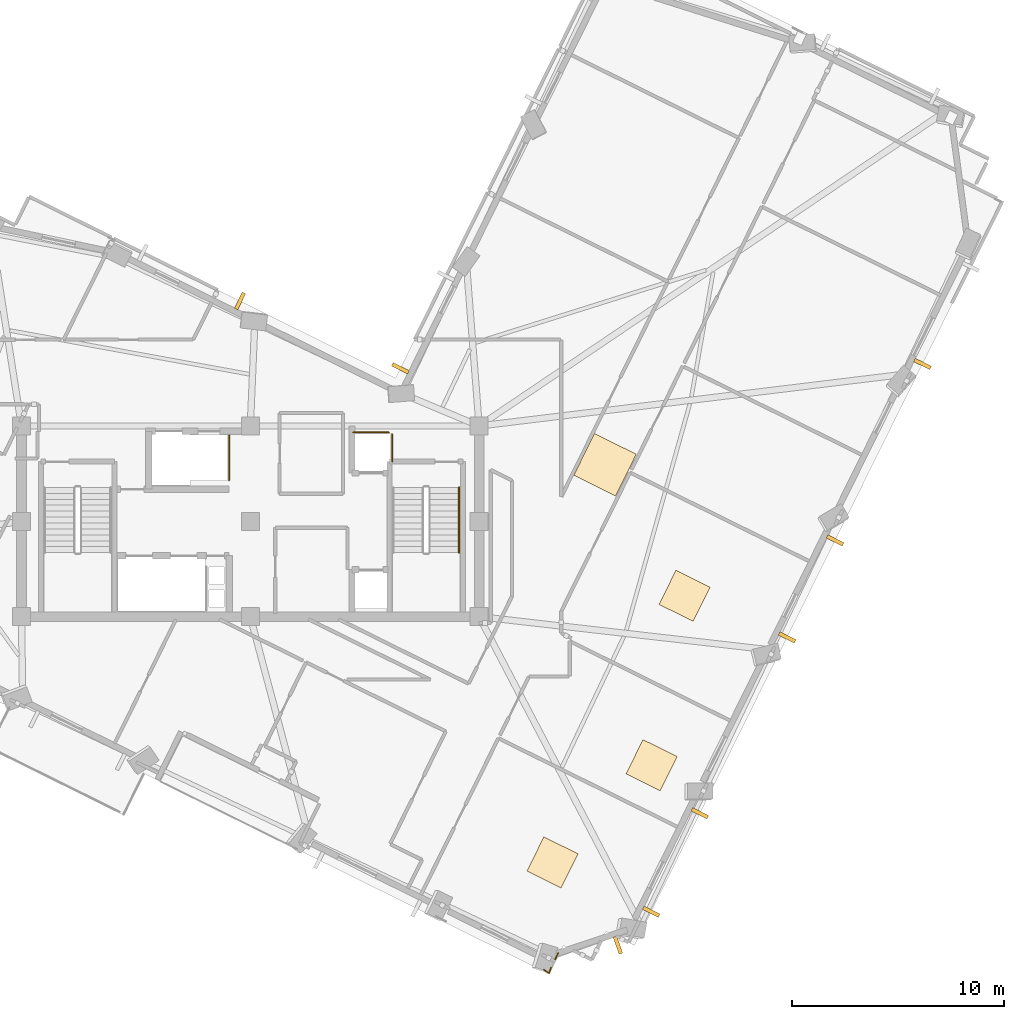
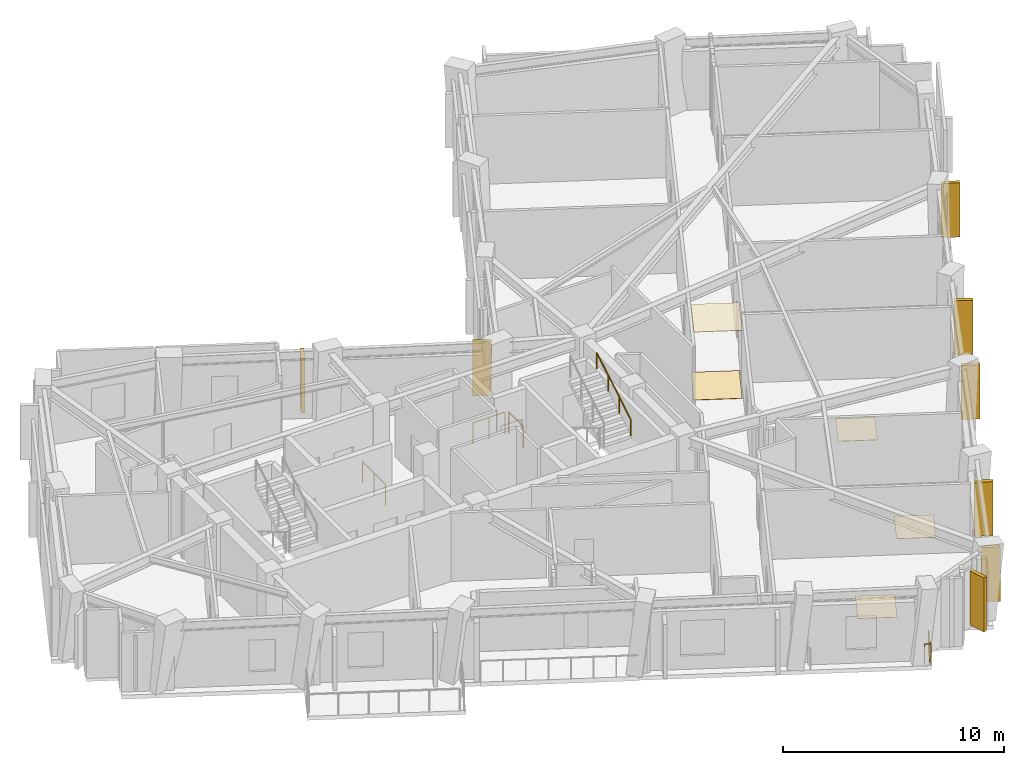
# One storey, part 9 of 11: 8 shading devices, 6 railings, 5 coverings.
"""IFC4 building model written with IfcOpenShell, lengths in metres."""

from ifc_helpers import new_model, si_unit, direction, frame, origin, origin_2d, place, context, subcontext, project, spatial, rectangle, circle, extrude, material, layer, layer_set, type_object, element, save


model = new_model("IFC4")

# Units and contexts
model_context = context("Model", 3, precision=1e-05, world=origin(), true_north=direction((0.0, 1.0)))
body_context = subcontext(model_context, "Body", "Model", "MODEL_VIEW")
ifc_project = project(units=[si_unit("LENGTHUNIT", "METRE"), si_unit("AREAUNIT", "SQUARE_METRE"), si_unit("VOLUMEUNIT", "CUBIC_METRE"), si_unit("PLANEANGLEUNIT", "RADIAN"), si_unit("MASSUNIT", "GRAM", prefix="KILO")], contexts=[model_context])

# Site, building, storey
site_placement = place(None, origin())
site = spatial("IfcSite", under=ifc_project, at=site_placement, CompositionType="ELEMENT")
building_placement = place(site_placement, origin())
building = spatial("IfcBuilding", under=site, at=building_placement, Name="Gaonmaruhae Medical Tower", CompositionType="ELEMENT")
storey_placement = place(building_placement, frame((0.0, 0.0, 296.60009765625)))
storey = spatial("IfcBuildingStorey", under=building, at=storey_placement, Name="L71", CompositionType="ELEMENT", Elevation=296.60009765625)

# Coverings
ifc_material_1 = material(Name="Acoustic mineral ceiling tile", Category="finish")
ifc_layer_1 = layer(ifc_material_1, 0.02490234375)
ifc_layer_set_1 = layer_set([ifc_layer_1], Name="Acoustic mineral ceiling tile")
covering_type_1 = type_object("IfcCoveringType", Name="CLG-01 Antimicrobial Acoustic Mineral Ceiling", PredefinedType="CEILING", material=ifc_layer_set_1)
covering_1_placement = place(storey_placement, frame((41.54248046875, 14.970947265625, 3.7548828125), z_axis=(0.0, 0.0, 1.0), x_axis=(0.443853354011, 0.896099436521, 0.0)))
element("IfcCovering", 1, at=covering_1_placement, inside=storey, type_object=covering_type_1, Name="L71 Clinical Corridor Acoustic Ceiling", PredefinedType="CEILING", context=body_context, shape_type="SweptSolid", body=[
    extrude(rectangle(XDim=2.199951171875, YDim=2.199951171875, at=origin_2d()), origin(), (0.0, 0.0, 1.0), 0.02490234375),
])
ifc_material_2 = material(Name="Seamless clinical vinyl flooring", Category="finish")
ifc_layer_2 = layer(ifc_material_2, 0.014892578125)
ifc_layer_set_2 = layer_set([ifc_layer_2], Name="Seamless clinical vinyl flooring")
covering_type_2 = type_object("IfcCoveringType", Name="FLR-01 Seamless Clinical Antistatic Vinyl Flooring", PredefinedType="FLOORING", material=ifc_layer_set_2)
covering_2_placement = place(storey_placement, frame((41.54248046875, 14.970947265625, 0.00048828125), z_axis=(0.0, 0.0, 1.0), x_axis=(0.443853354011, 0.896099436521, 0.0)))
element("IfcCovering", 2, at=covering_2_placement, inside=storey, type_object=covering_type_2, Name="L71 Clinical Corridor Vinyl Flooring", PredefinedType="FLOORING", context=body_context, shape_type="SweptSolid", body=[
    extrude(rectangle(XDim=2.199951171875, YDim=2.199951171875, at=origin_2d()), origin(), (0.0, 0.0, 1.0), 0.014892578125),
])
for number, where, z_axis, x_axis, name in (
    (3, (39.062744140625, -3.801513671875, 0.0), (0.0, 0.0, 1.0), (0.443853354011, 0.896099436521, 0.0), "L71 Clinical Room Vinyl Flooring 2"),
    (4, (43.740966796875, 0.7890625, 0.0), (0.0, 0.0, 1.0), (0.443853354011, 0.896099436521, 0.0), "L71 Clinical Room Vinyl Flooring 3"),
    (5, (45.296630859375, 8.7841796875, 0.0), (0.0, 0.0, 1.0), (0.443853354011, 0.896099436521, 0.0), "L71 Clinical Room Vinyl Flooring 4"),
):
    element("IfcCovering", number, at=place(storey_placement, frame(where, z_axis=z_axis, x_axis=x_axis)), inside=storey, type_object=covering_type_2, Name=name, PredefinedType="FLOORING", context=body_context, shape_type="SweptSolid", body=[
        extrude(rectangle(XDim=1.800048828125, YDim=1.800048828125, at=origin_2d()), origin(), (0.0, 0.0, 1.0), 0.014892578125),
    ])

# Railings
ifc_material_3 = material(Name="Stainless steel 316L and laminated safety glass", Category="steel")
ifc_layer_3 = layer(ifc_material_3, 0.080078125)
ifc_layer_set_3 = layer_set([ifc_layer_3], Name="Stainless steel 316L and laminated safety glass")
railing_type_1 = type_object("IfcRailingType", Name="GD-120 Outdoor Terrace Safety Glass & Steel Balustrade", PredefinedType="BALUSTRADE", material=ifc_layer_set_3)
railing_1_placement = place(storey_placement, frame((39.33154296875, -8.080078125, 0.0)))
element("IfcRailing", 6, at=railing_1_placement, inside=storey, type_object=railing_type_1, Name="L71 Perimeter Slab Edge Safety Balustrade 05", PredefinedType="BALUSTRADE", context=body_context, shape_type="SweptSolid", body=[
    extrude(circle(Radius=0.02392578125, at=origin_2d()), frame((0.0, 0.0, 1.17578125), z_axis=(-0.443922260126, -0.896065302846, 0.0), x_axis=(0.896065302846, -0.443922260126, 0.0)), (0.0, 0.0, 1.0), 0.32666015625),
    extrude(circle(Radius=0.02099609375, at=origin_2d()), origin(), (0.0, 0.0, 1.0), 1.15185546875),
    extrude(circle(Radius=0.02099609375, at=origin_2d()), frame((-0.14501953125, -0.292724609375, 0.0)), (0.0, 0.0, 1.0), 1.15185546875),
])
railing_2_placement = place(storey_placement, frame((38.994140625, -8.76123046875, 0.0)))
element("IfcRailing", 7, at=railing_2_placement, inside=storey, type_object=railing_type_1, Name="L71 Perimeter Corner Safety Balustrade 10", PredefinedType="BALUSTRADE", context=body_context, shape_type="SweptSolid", body=[
    extrude(circle(Radius=0.02392578125, at=origin_2d()), frame((0.0, 0.0, 1.17578125), z_axis=(-0.330729107875, -0.943725731982, 0.0), x_axis=(0.943725731982, -0.330729107875, 0.0)), (0.0, 0.0, 1.0), 0.287109375),
    extrude(circle(Radius=0.02392578125, at=origin_2d()), frame((-0.094970703125, -0.27099609375, 1.17578125), z_axis=(-0.835304120567, 0.549788164809, 0.0), x_axis=(-0.549788164809, -0.835304120567, 0.0)), (0.0, 0.0, 1.0), 0.287353515625),
    extrude(circle(Radius=0.02099609375, at=origin_2d()), origin(), (0.0, 0.0, 1.0), 1.15185546875),
    extrude(circle(Radius=0.02099609375, at=origin_2d()), frame((-0.094970703125, -0.27099609375, 0.0)), (0.0, 0.0, 1.0), 1.15185546875),
    extrude(circle(Radius=0.02099609375, at=origin_2d()), frame((-0.3349609375, -0.113037109375, 0.0)), (0.0, 0.0, 1.0), 1.15185546875),
])
ifc_material_4 = material(Name="Stainless steel 304 handrail", Category="steel")
railing_type_2 = type_object("IfcRailingType", Name="HR-092 Continuous Stainless Steel Stair Handrail", PredefinedType="HANDRAIL", material=ifc_material_4)
railing_3_placement = place(storey_placement, frame((34.64990234375, 10.820068359375, 2.16650390625)))
element("IfcRailing", 8, at=railing_3_placement, inside=storey, type_object=railing_type_2, Name="L71 ST-02 stair handrail 2", PredefinedType="HANDRAIL", context=body_context, shape_type="SweptSolid", body=[
    extrude(circle(Radius=0.02392578125, at=origin_2d()), frame((0.0, 0.0, 0.8759765625), z_axis=(0.0, 0.859260807169, 0.511537745687), x_axis=(-1.0, 0.0, 0.0)), (0.0, 0.0, 1.0), 3.584228515625),
    extrude(circle(Radius=0.02099609375, at=origin_2d()), origin(), (0.0, 0.0, 1.0), 0.851806640625),
    extrude(circle(Radius=0.02099609375, at=origin_2d()), frame((0.0, 1.026611328125, 0.611083984375)), (0.0, 0.0, 1.0), 0.851806640625),
    extrude(circle(Radius=0.02099609375, at=origin_2d()), frame((0.0, 2.05322265625, 1.222412109375)), (0.0, 0.0, 1.0), 0.851806640625),
    extrude(circle(Radius=0.02099609375, at=origin_2d()), frame((0.0, 3.079833984375, 1.83349609375)), (0.0, 0.0, 1.0), 0.851806640625),
])

# Shading devices
ifc_material_5 = material(Name="Pigmented coral precast concrete C45/55", Category="concrete")
shading_device_type = type_object("IfcShadingDeviceType", Name="SD-FIN1 Tower Vertical Coral Precast Shading Fin", PredefinedType="USERDEFINED", material=ifc_material_5)
for number, where, z_axis, x_axis, name in (
    (9, (46.021240234375, -1.479736328125, 0.13232421875), (0.0, 0.0, 1.0), (-0.443853354011, -0.896099436521, 0.0), "L71 Vertical Coral Precast Shading Fin S01"),
    (10, (43.719970703125, -6.125732421875, 0.13232421875), (0.0, 0.0, 1.0), (-0.443853354011, -0.896099436521, 0.0), "L71 Vertical Coral Precast Shading Fin S01B"),
    (11, (52.401123046875, 11.400390625, 0.13232421875), (0.0, 0.0, 1.0), (-0.443853354011, -0.896099436521, 0.0), "L71 Vertical Coral Precast Shading Fin S03"),
    (12, (50.131591796875, 6.818603515625, 0.13232421875), (0.0, 0.0, 1.0), (-0.443853354011, -0.896099436521, 0.0), "L71 Vertical Coral Precast Shading Fin S03B"),
    (13, (56.525390625, 19.727294921875, 0.13232421875), (0.0, 0.0, 1.0), (-0.443853354011, -0.896099436521, 0.0), "L71 Vertical Coral Precast Shading Fin S05B"),
    (14, (31.882568359375, 19.51904296875, 0.13232421875), (0.0, 0.0, 1.0), (0.443853354011, 0.896099436521, 0.0), "L71 Vertical Coral Precast Shading Fin EN02"),
    (15, (24.31298828125, 22.69873046875, 0.13232421875), (0.0, 0.0, 1.0), (0.896099436521, -0.443853354011, 0.0), "L71 Vertical Coral Precast Shading Fin NE01B"),
    (16, (42.149169921875, -7.704345703125, 0.13232421875), (0.0, 0.0, 1.0), (-0.947489704655, -0.319786271707, 0.0), "L71 Vertical Coral Precast Shading Fin W06"),
):
    element("IfcShadingDevice", number, at=place(storey_placement, frame(where, z_axis=z_axis, x_axis=x_axis)), inside=storey, type_object=shading_device_type, Name=name, ObjectType="FIN", PredefinedType="USERDEFINED", context=body_context, shape_type="SweptSolid", body=[
        extrude(rectangle(XDim=0.179931640625, YDim=0.85009765625, at=origin_2d()), origin(), (0.0, 0.0, 1.0), 3.0),
    ])

# Railings
ifc_material_6 = material(Name="Stainless steel 304 balustrade", Category="steel")
railing_type_3 = type_object("IfcRailingType", Name="SG-112 Stair Well & Ramp Void Safety Balustrade", PredefinedType="BALUSTRADE", material=ifc_material_6)
railing_4_placement = place(storey_placement, frame((23.794921875, 16.35498046875, 0.0)))
element("IfcRailing", 17, at=railing_4_placement, inside=storey, type_object=railing_type_3, Name="L71 Shaft Edge Safety Guard 12", PredefinedType="BALUSTRADE", context=body_context, shape_type="SweptSolid", body=[
    extrude(circle(Radius=0.02392578125, at=origin_2d()), frame((0.0, 0.0, 1.17578125), z_axis=(0.0, -1.0, 0.0), x_axis=(1.0, 0.0, 0.0)), (0.0, 0.0, 1.0), 2.10986328125),
    extrude(circle(Radius=0.02099609375, at=origin_2d()), origin(), (0.0, 0.0, 1.0), 1.15185546875),
    extrude(circle(Radius=0.02099609375, at=origin_2d()), frame((0.0, -1.054931640625, 0.0)), (0.0, 0.0, 1.0), 1.15185546875),
    extrude(circle(Radius=0.02099609375, at=origin_2d()), frame((0.0, -2.10986328125, 0.0)), (0.0, 0.0, 1.0), 1.15185546875),
])
railing_5_placement = place(storey_placement, frame((31.4951171875, 16.405029296875, 0.0)))
element("IfcRailing", 18, at=railing_5_placement, inside=storey, type_object=railing_type_3, Name="L71 Shaft Edge Safety Guard 13", PredefinedType="BALUSTRADE", context=body_context, shape_type="SweptSolid", body=[
    extrude(circle(Radius=0.02392578125, at=origin_2d()), frame((0.0, 0.0, 1.17578125), z_axis=(0.0, -1.0, 0.0), x_axis=(1.0, 0.0, 0.0)), (0.0, 0.0, 1.0), 1.284912109375),
    extrude(circle(Radius=0.02099609375, at=origin_2d()), origin(), (0.0, 0.0, 1.0), 1.15185546875),
    extrude(circle(Radius=0.02099609375, at=origin_2d()), frame((0.0, -1.284912109375, 0.0)), (0.0, 0.0, 1.0), 1.15185546875),
])
railing_6_placement = place(storey_placement, frame((29.6630859375, 16.4951171875, 0.0)))
element("IfcRailing", 19, at=railing_6_placement, inside=storey, type_object=railing_type_3, Name="L71 Shaft Edge Safety Guard 14", PredefinedType="BALUSTRADE", context=body_context, shape_type="SweptSolid", body=[
    extrude(circle(Radius=0.02392578125, at=origin_2d()), frame((0.0, 0.0, 1.17578125), z_axis=(1.0, 0.0, 0.0), x_axis=(0.0, 1.0, 0.0)), (0.0, 0.0, 1.0), 1.673828125),
    extrude(circle(Radius=0.02099609375, at=origin_2d()), origin(), (0.0, 0.0, 1.0), 1.15185546875),
    extrude(circle(Radius=0.02099609375, at=origin_2d()), frame((0.8369140625, 0.0, 0.0)), (0.0, 0.0, 1.0), 1.15185546875),
    extrude(circle(Radius=0.02099609375, at=origin_2d()), frame((1.673828125, 0.0, 0.0)), (0.0, 0.0, 1.0), 1.15185546875),
])

save(model, "model.ifc")
